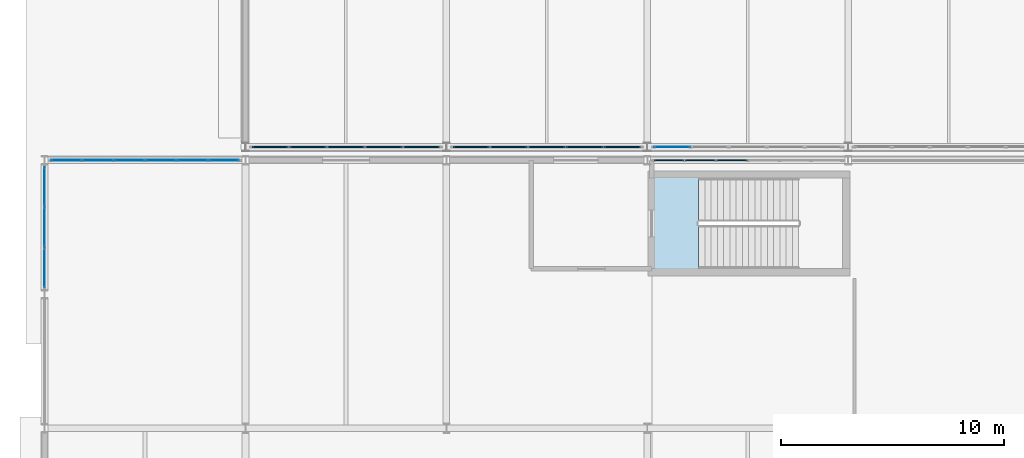
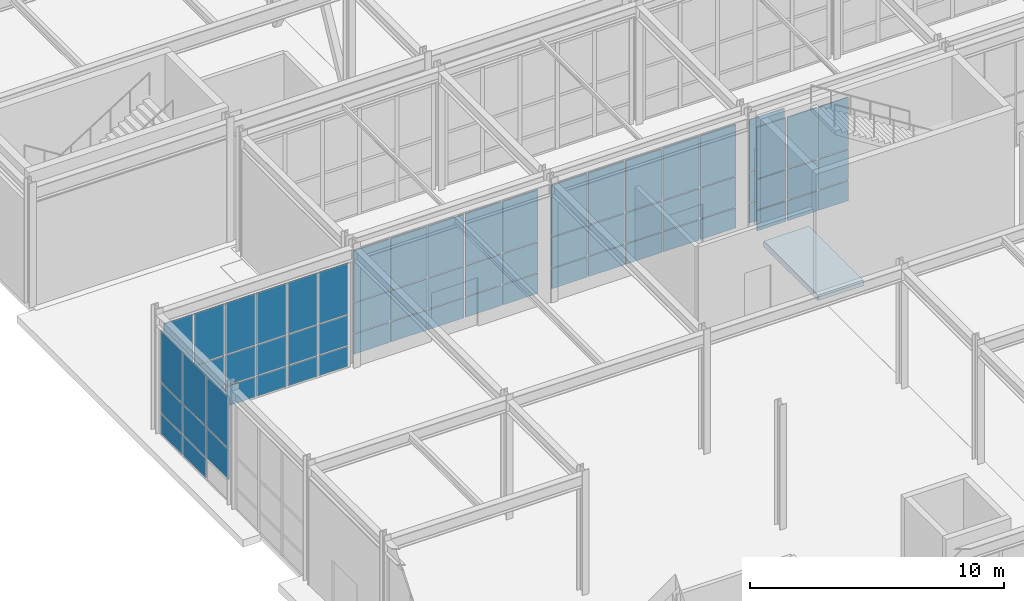
# One storey, part 102 of 146: 68 plates, 1 slab, 6 elements without a shape of their own.
"""IFC4 building model written with IfcOpenShell, lengths in metres."""

import ifcopenshell
import ifcopenshell.guid

model = None  # the IFC model being written
_history = None  # IfcOwnerHistory: only IFC2X3 demands one
_inside = {}  # id of a spatial element -> (the spatial element, [elements in it])
_under = {}  # id of a project, library or spatial element -> (it, [spatial elements below it])
_declared = {}  # id of a project -> (the project, [libraries it declares])
_typed = {}  # id of a type object -> (the type object, [elements of that type])
_made_of = {}  # id of a material, layer set ... -> (it, [elements and type objects made of it])


def new_model(schema):
    """Start an empty IFC model of exactly this schema.

    Asked for "IFC4X3", IfcOpenShell would pick the latest addendum, in which some entities
    have other attributes; the version numbers below select the first issue.
    IFC2X3 requires an IfcOwnerHistory on every rooted entity: one is made here for all.
    """
    global model, _history
    if schema == "IFC4X3":
        model = ifcopenshell.file(schema_version=(4, 3, 0, 0))
    else:
        model = ifcopenshell.file(schema=schema)
    _inside.clear()
    _under.clear()
    _declared.clear()
    _typed.clear()
    _made_of.clear()
    _history = None
    if model.schema == "IFC2X3":
        org = make("IfcOrganization", Name="unknown")
        user = make(
            "IfcPersonAndOrganization",
            ThePerson=make("IfcPerson", FamilyName="unknown"),
            TheOrganization=org,
        )
        app = make(
            "IfcApplication",
            ApplicationDeveloper=org,
            Version="unknown",
            ApplicationFullName="unknown",
            ApplicationIdentifier="unknown",
        )
        _history = make(
            "IfcOwnerHistory",
            OwningUser=user,
            OwningApplication=app,
            ChangeAction="ADDED",
            CreationDate=0,
        )
    return model


def make(cls, **values):
    """One entity of the class cls with the attributes given. An attribute that is None is left unset."""
    return model.create_entity(
        cls, **{name: value for name, value in values.items() if value is not None}
    )


def rooted(cls, **values):
    """An entity with a GlobalId (a new one), such as an element, a storey or a relation."""
    return make(cls, GlobalId=ifcopenshell.guid.new(), OwnerHistory=_history, **values)


def si_unit(unit_type, name, prefix=None):
    """IfcSIUnit, for example si_unit("LENGTHUNIT", "METRE", prefix="MILLI")."""
    return make("IfcSIUnit", UnitType=unit_type, Prefix=prefix, Name=name)


def assignment(units):
    """IfcUnitAssignment: the units of a project."""
    return None if units is None else make("IfcUnitAssignment", Units=units)


def point(xyz):
    """IfcCartesianPoint."""
    return None if xyz is None else make("IfcCartesianPoint", Coordinates=xyz)


def direction(xyz):
    """IfcDirection."""
    return None if xyz is None else make("IfcDirection", DirectionRatios=xyz)


def frame(location, z_axis=None, x_axis=None):
    """IfcAxis2Placement3D, a coordinate frame: its origin and axes. An axis left out is left unset."""
    return make(
        "IfcAxis2Placement3D",
        Location=point(location),
        Axis=direction(z_axis),
        RefDirection=direction(x_axis),
    )


def frame_2d(location, x_axis=None):
    """IfcAxis2Placement2D, a coordinate frame in the plane: its origin and x axis."""
    return make(
        "IfcAxis2Placement2D", Location=point(location), RefDirection=direction(x_axis)
    )


def origin():
    """The frame at (0, 0, 0) with its axes left unset."""
    return frame((0.0, 0.0, 0.0))


def origin_2d():
    """The frame at (0, 0) in the plane with its x axis left unset."""
    return frame_2d((0.0, 0.0))


def place(relative_to, where):
    """IfcLocalPlacement: puts the frame where relative to a parent placement (None: the world)."""
    return make(
        "IfcLocalPlacement", PlacementRelTo=relative_to, RelativePlacement=where
    )


def context(
    kind, dimensions, precision=None, world=None, true_north=None, identifier=None
):
    """IfcGeometricRepresentationContext, for example the 3D "Model" context."""
    return make(
        "IfcGeometricRepresentationContext",
        ContextIdentifier=identifier,
        ContextType=kind,
        CoordinateSpaceDimension=dimensions,
        Precision=precision,
        WorldCoordinateSystem=world,
        TrueNorth=true_north,
    )


def subcontext(parent, identifier, kind, view, scale=None):
    """IfcGeometricRepresentationSubContext, for example "Body" below "Model"."""
    return make(
        "IfcGeometricRepresentationSubContext",
        ContextIdentifier=identifier,
        ContextType=kind,
        ParentContext=parent,
        TargetScale=scale,
        TargetView=view,
    )


def project(units=None, contexts=None):
    """IfcProject with its units and contexts."""
    return rooted(
        "IfcProject",
        Name="project",
        RepresentationContexts=contexts,
        UnitsInContext=assignment(units),
    )


def spatial(cls, under=None, at=None, **own):
    """A site, building, storey or space (cls), placed at a placement, below another one or the project."""
    s = rooted(cls, ObjectPlacement=at, **own)
    if under is not None:
        _under.setdefault(under.id(), (under, []))[1].append(s)
    return s


def polyline(points):
    """IfcPolyline through the points."""
    return make("IfcPolyline", Points=[point(p) for p in points])


def profile(cls, at=None, kind="AREA", **sizes):
    """A parametric profile (cls). Its sizes go by their IFC names, for example OverallWidth=200.0."""
    return make(cls, ProfileType=kind, Position=at, **sizes)


def rectangle(**sizes):
    """IfcRectangleProfileDef."""
    return profile("IfcRectangleProfileDef", **sizes)


def outline(outer, holes=None, kind="AREA"):
    """IfcArbitraryClosedProfileDef: a profile drawn as a closed curve; with holes, ...WithVoids."""
    if holes is None:
        return make("IfcArbitraryClosedProfileDef", ProfileType=kind, OuterCurve=outer)
    return make(
        "IfcArbitraryProfileDefWithVoids",
        ProfileType=kind,
        OuterCurve=outer,
        InnerCurves=holes,
    )


def extrude(swept, where, along, depth):
    """IfcExtrudedAreaSolid: the profile swept, set in the frame where, extruded along a direction by depth."""
    return make(
        "IfcExtrudedAreaSolid",
        SweptArea=swept,
        Position=where,
        ExtrudedDirection=direction(along),
        Depth=depth,
    )


def shape(context_of_items, identifier, shape_type, items):
    """IfcShapeRepresentation: the items that make up one representation, for example the "Body"."""
    return make(
        "IfcShapeRepresentation",
        ContextOfItems=context_of_items,
        RepresentationIdentifier=identifier,
        RepresentationType=shape_type,
        Items=items,
    )


def material(Name=None, Category=None):
    """IfcMaterial."""
    return make("IfcMaterial", Name=Name, Category=Category)


def layer(
    of_material, thickness, ventilated=None, Name=None, Category=None, Priority=None
):
    """IfcMaterialLayer: one layer of a wall or slab, of a material (None: an air gap)."""
    return make(
        "IfcMaterialLayer",
        Material=of_material,
        LayerThickness=thickness,
        IsVentilated=ventilated,
        Name=Name,
        Category=Category,
        Priority=Priority,
    )


def layer_set(layers, Name=None):
    """IfcMaterialLayerSet."""
    return make("IfcMaterialLayerSet", MaterialLayers=layers, LayerSetName=Name)


def made_of(thing, what):
    """Note that an element or type object is made of a material, layer set ...; save() writes the relation."""
    if what is not None:
        _made_of.setdefault(what.id(), (what, []))[1].append(thing)
    return thing


def type_object(cls, material=None, **own):
    """A type object (cls), such as IfcWallType, which elements share."""
    return made_of(rooted(cls, **own), material)


def element(
    cls,
    number,
    at=None,
    inside=None,
    cuts=None,
    type_object=None,
    material=None,
    context=None,
    identifier="Body",
    shape_type=None,
    held_by="IfcProductDefinitionShape",
    body=None,
    shapes=None,
    **own,
):
    """One element of the class cls, such as IfcWall. Its Tag is "e" and its number.

    at: its placement. inside: the storey or other place that contains it. cuts: it is an
    opening in that element (IfcRelVoidsElement). A single representation is given by context,
    identifier, shape_type and body (its items); several are given by shapes. held_by: the class
    of the entity that holds the representations. save() writes the other relations.
    """
    e = rooted(cls, Tag="e%d" % number, ObjectPlacement=at, **own)
    if body is not None:
        shapes = [shape(context, identifier, shape_type, body)]
    if shapes is not None:
        e.Representation = make(held_by, Representations=shapes)
    if inside is not None:
        _inside.setdefault(inside.id(), (inside, []))[1].append(e)
    if cuts is not None:
        rooted(
            "IfcRelVoidsElement", RelatingBuildingElement=cuts, RelatedOpeningElement=e
        )
    if type_object is not None:
        _typed.setdefault(type_object.id(), (type_object, []))[1].append(e)
    return made_of(e, material)


def aggregate(whole, parts):
    """IfcRelAggregates: a whole, such as a stair, and the parts it consists of."""
    return rooted("IfcRelAggregates", RelatingObject=whole, RelatedObjects=parts)


def save(model, path):
    """Write the relations noted so far, then the file.

    IfcRelAggregates (storeys below a building ...), IfcRelContainedInSpatialStructure (elements
    in a storey), IfcRelDefinesByType, IfcRelAssociatesMaterial and IfcRelDeclares: one each for
    every whole, place, type object, material and project.
    """
    for whole, parts in _under.values():
        aggregate(whole, parts)
    for where, things in _inside.values():
        rooted(
            "IfcRelContainedInSpatialStructure",
            RelatedElements=things,
            RelatingStructure=where,
        )
    for kind, things in _typed.values():
        rooted("IfcRelDefinesByType", RelatedObjects=things, RelatingType=kind)
    for what, things in _made_of.values():
        rooted("IfcRelAssociatesMaterial", RelatedObjects=things, RelatingMaterial=what)
    for by, libraries in _declared.values():
        rooted("IfcRelDeclares", RelatingContext=by, RelatedDefinitions=libraries)
    model.write(path)


model = new_model("IFC4")

# Units and contexts
model_context = context("Model", 3, precision=1e-05, world=origin(), true_north=direction((0.0, 1.0)))
body_context = subcontext(model_context, "Body", "Model", "MODEL_VIEW")
ifc_project = project(units=[si_unit("LENGTHUNIT", "METRE"), si_unit("AREAUNIT", "SQUARE_METRE"), si_unit("VOLUMEUNIT", "CUBIC_METRE"), si_unit("PLANEANGLEUNIT", "RADIAN"), si_unit("MASSUNIT", "GRAM", prefix="KILO")], contexts=[model_context])

# Site, building, storey
site_placement = place(None, origin())
site = spatial("IfcSite", under=ifc_project, at=site_placement, CompositionType="ELEMENT")
building_placement = place(site_placement, origin())
building = spatial("IfcBuilding", under=site, at=building_placement, Name="Kaldris Quays Convention Centre", CompositionType="ELEMENT")
storey_placement = place(building_placement, origin())
storey = spatial("IfcBuildingStorey", under=building, at=storey_placement, Name="L00", CompositionType="ELEMENT", Elevation=0.0)

# Curtain wall, plates
ifc_material_1 = material(Name="Anodized aluminium AW-6060 and triple glazing", Category="aluminium")
curtain_wall_type_1 = type_object("IfcCurtainWallType", Name="UNITISED CURTAIN WALL CW05", PredefinedType="NOTDEFINED", material=ifc_material_1)
curtain_wall_1_placement = place(storey_placement, origin())
curtain_wall_1 = element("IfcCurtainWall", 1, at=curtain_wall_1_placement, inside=storey, type_object=curtain_wall_type_1, Name="L00 Unitised Curtain Wall CW05 57", PredefinedType="NOTDEFINED")
ifc_material_2 = material(Name="Triple low-E insulated glazing", Category="glass")
plate_type_1 = type_object("IfcPlateType", Name="CURTAIN GLAZING PANEL CWP1", PredefinedType="CURTAIN_PANEL", material=ifc_material_2)
plate_1_placement = place(storey_placement, frame((20.0, 41.181640625, 1.080078125), z_axis=(0.0, 0.0, 1.0), x_axis=(0.0, 1.0, 0.0)))
plate_1 = element("IfcPlate", 2, at=plate_1_placement, type_object=plate_type_1, Name="CW05 panel 1.2", PredefinedType="CURTAIN_PANEL", context=body_context, shape_type="SweptSolid", body=[
    extrude(rectangle(XDim=1.743408203125, YDim=0.029052734375, at=origin_2d()), origin(), (0.0, 0.0, 1.0), 1.43896484375),
])
plate_2_placement = place(storey_placement, frame((20.0, 41.181640625, 2.5791015625), z_axis=(0.0, 0.0, 1.0), x_axis=(0.0, 1.0, 0.0)))
plate_2 = element("IfcPlate", 3, at=plate_2_placement, type_object=plate_type_1, Name="CW05 panel 1.3", PredefinedType="CURTAIN_PANEL", context=body_context, shape_type="SweptSolid", body=[
    extrude(rectangle(XDim=1.743408203125, YDim=0.029052734375, at=origin_2d()), origin(), (0.0, 0.0, 1.0), 2.458984375),
])
plate_3_placement = place(storey_placement, frame((20.0, 43.0, 0.06005859375), z_axis=(0.0, 0.0, 1.0), x_axis=(0.0, 1.0, 0.0)))
plate_3 = element("IfcPlate", 4, at=plate_3_placement, type_object=plate_type_1, Name="CW05 panel 2.1", PredefinedType="CURTAIN_PANEL", context=body_context, shape_type="SweptSolid", body=[
    extrude(rectangle(XDim=1.7734375, YDim=0.029052734375, at=origin_2d()), origin(), (0.0, 0.0, 1.0), 0.9599609375),
])
plate_4_placement = place(storey_placement, frame((20.0, 43.0, 1.080078125), z_axis=(0.0, 0.0, 1.0), x_axis=(0.0, 1.0, 0.0)))
plate_4 = element("IfcPlate", 5, at=plate_4_placement, type_object=plate_type_1, Name="CW05 panel 2.2", PredefinedType="CURTAIN_PANEL", context=body_context, shape_type="SweptSolid", body=[
    extrude(rectangle(XDim=1.7734375, YDim=0.029052734375, at=origin_2d()), origin(), (0.0, 0.0, 1.0), 1.43896484375),
])
plate_5_placement = place(storey_placement, frame((20.0, 43.0, 2.5791015625), z_axis=(0.0, 0.0, 1.0), x_axis=(0.0, 1.0, 0.0)))
plate_5 = element("IfcPlate", 6, at=plate_5_placement, type_object=plate_type_1, Name="CW05 panel 2.3", PredefinedType="CURTAIN_PANEL", context=body_context, shape_type="SweptSolid", body=[
    extrude(rectangle(XDim=1.7734375, YDim=0.029052734375, at=origin_2d()), origin(), (0.0, 0.0, 1.0), 2.458984375),
])
plate_6_placement = place(storey_placement, frame((20.0, 44.818359375, 0.06005859375), z_axis=(0.0, 0.0, 1.0), x_axis=(0.0, 1.0, 0.0)))
plate_6 = element("IfcPlate", 7, at=plate_6_placement, type_object=plate_type_1, Name="CW05 panel 3.1", PredefinedType="CURTAIN_PANEL", context=body_context, shape_type="SweptSolid", body=[
    extrude(rectangle(XDim=1.743408203125, YDim=0.029052734375, at=origin_2d()), origin(), (0.0, 0.0, 1.0), 0.9599609375),
])
plate_7_placement = place(storey_placement, frame((20.0, 44.818359375, 1.080078125), z_axis=(0.0, 0.0, 1.0), x_axis=(0.0, 1.0, 0.0)))
plate_7 = element("IfcPlate", 8, at=plate_7_placement, type_object=plate_type_1, Name="CW05 panel 3.2", PredefinedType="CURTAIN_PANEL", context=body_context, shape_type="SweptSolid", body=[
    extrude(rectangle(XDim=1.743408203125, YDim=0.029052734375, at=origin_2d()), origin(), (0.0, 0.0, 1.0), 1.43896484375),
])
plate_8_placement = place(storey_placement, frame((20.0, 44.818359375, 2.5791015625), z_axis=(0.0, 0.0, 1.0), x_axis=(0.0, 1.0, 0.0)))
plate_8 = element("IfcPlate", 9, at=plate_8_placement, type_object=plate_type_1, Name="CW05 panel 3.3", PredefinedType="CURTAIN_PANEL", context=body_context, shape_type="SweptSolid", body=[
    extrude(rectangle(XDim=1.743408203125, YDim=0.029052734375, at=origin_2d()), origin(), (0.0, 0.0, 1.0), 2.458984375),
])
aggregate(curtain_wall_1, [plate_1, plate_2, plate_3, plate_4, plate_5, plate_6, plate_7, plate_8])

curtain_wall_type_2 = type_object("IfcCurtainWallType", Name="UNITISED CURTAIN WALL CW02", PredefinedType="NOTDEFINED", material=ifc_material_1)
curtain_wall_2_placement = place(storey_placement, origin())
curtain_wall_2 = element("IfcCurtainWall", 10, at=curtain_wall_2_placement, inside=storey, type_object=curtain_wall_type_2, Name="L00 Unitised Curtain Wall CW02 82", PredefinedType="NOTDEFINED")
plate_type_2 = type_object("IfcPlateType", Name="CURTAIN GLAZING PANEL CWP2", PredefinedType="CURTAIN_PANEL", material=ifc_material_2)
plate_9_placement = place(storey_placement, frame((48.114990234375, 46.60009765625, 0.06005859375), z_axis=(0.0, 0.0, 1.0), x_axis=(1.0, 0.0, 0.0)))
plate_9 = element("IfcPlate", 11, at=plate_9_placement, type_object=plate_type_2, Name="CW02 panel 1.1", PredefinedType="CURTAIN_PANEL", context=body_context, shape_type="SweptSolid", body=[
    extrude(rectangle(XDim=1.610107421875, YDim=0.033935546875, at=origin_2d()), origin(), (0.0, 0.0, 1.0), 0.9599609375),
])
plate_10_placement = place(storey_placement, frame((48.114990234375, 46.60009765625, 1.080078125), z_axis=(0.0, 0.0, 1.0), x_axis=(1.0, 0.0, 0.0)))
plate_10 = element("IfcPlate", 12, at=plate_10_placement, type_object=plate_type_2, Name="CW02 panel 1.2", PredefinedType="CURTAIN_PANEL", context=body_context, shape_type="SweptSolid", body=[
    extrude(rectangle(XDim=1.610107421875, YDim=0.033935546875, at=origin_2d()), origin(), (0.0, 0.0, 1.0), 1.43994140625),
])
plate_11_placement = place(storey_placement, frame((48.114990234375, 46.60009765625, 2.580078125), z_axis=(0.0, 0.0, 1.0), x_axis=(1.0, 0.0, 0.0)))
plate_11 = element("IfcPlate", 13, at=plate_11_placement, type_object=plate_type_2, Name="CW02 panel 1.3", PredefinedType="CURTAIN_PANEL", context=body_context, shape_type="SweptSolid", body=[
    extrude(rectangle(XDim=1.610107421875, YDim=0.033935546875, at=origin_2d()), origin(), (0.0, 0.0, 1.0), 2.4599609375),
])
aggregate(curtain_wall_2, [plate_9, plate_10, plate_11])

curtain_wall_type_3 = type_object("IfcCurtainWallType", Name="UNITISED CURTAIN WALL CW01", PredefinedType="NOTDEFINED", material=ifc_material_1)
curtain_wall_3_placement = place(storey_placement, origin())
curtain_wall_3 = element("IfcCurtainWall", 14, at=curtain_wall_3_placement, inside=storey, type_object=curtain_wall_type_3, Name="L00 Unitised Curtain Wall CW01 44", PredefinedType="NOTDEFINED")
plate_type_3 = type_object("IfcPlateType", Name="CURTAIN GLAZING PANEL CWP4", PredefinedType="CURTAIN_PANEL", material=ifc_material_2)
plate_12_placement = place(storey_placement, frame((20.973388671875, 46.0, 0.06005859375), z_axis=(0.0, 0.0, 1.0), x_axis=(1.0, 0.0, 0.0)))
plate_12 = element("IfcPlate", 15, at=plate_12_placement, type_object=plate_type_3, Name="CW01 panel 1.1", PredefinedType="CURTAIN_PANEL", context=body_context, shape_type="SweptSolid", body=[
    extrude(rectangle(XDim=1.32666015625, YDim=0.0439453125, at=origin_2d()), origin(), (0.0, 0.0, 1.0), 0.9599609375),
])
plate_13_placement = place(storey_placement, frame((20.973388671875, 46.0, 1.080078125), z_axis=(0.0, 0.0, 1.0), x_axis=(1.0, 0.0, 0.0)))
plate_13 = element("IfcPlate", 16, at=plate_13_placement, type_object=plate_type_3, Name="CW01 panel 1.2", PredefinedType="CURTAIN_PANEL", context=body_context, shape_type="SweptSolid", body=[
    extrude(rectangle(XDim=1.32666015625, YDim=0.0439453125, at=origin_2d()), origin(), (0.0, 0.0, 1.0), 1.43896484375),
])
plate_14_placement = place(storey_placement, frame((20.973388671875, 46.0, 2.5791015625), z_axis=(0.0, 0.0, 1.0), x_axis=(1.0, 0.0, 0.0)))
plate_14 = element("IfcPlate", 17, at=plate_14_placement, type_object=plate_type_3, Name="CW01 panel 1.3", PredefinedType="CURTAIN_PANEL", context=body_context, shape_type="SweptSolid", body=[
    extrude(rectangle(XDim=1.32666015625, YDim=0.0439453125, at=origin_2d()), origin(), (0.0, 0.0, 1.0), 2.458984375),
])
plate_15_placement = place(storey_placement, frame((22.375, 46.0, 0.06005859375), z_axis=(0.0, 0.0, 1.0), x_axis=(1.0, 0.0, 0.0)))
plate_15 = element("IfcPlate", 18, at=plate_15_placement, type_object=plate_type_3, Name="CW01 panel 2.1", PredefinedType="CURTAIN_PANEL", context=body_context, shape_type="SweptSolid", body=[
    extrude(rectangle(XDim=1.356689453125, YDim=0.0439453125, at=origin_2d()), origin(), (0.0, 0.0, 1.0), 0.9599609375),
])
plate_16_placement = place(storey_placement, frame((22.375, 46.0, 1.080078125), z_axis=(0.0, 0.0, 1.0), x_axis=(1.0, 0.0, 0.0)))
plate_16 = element("IfcPlate", 19, at=plate_16_placement, type_object=plate_type_3, Name="CW01 panel 2.2", PredefinedType="CURTAIN_PANEL", context=body_context, shape_type="SweptSolid", body=[
    extrude(rectangle(XDim=1.356689453125, YDim=0.0439453125, at=origin_2d()), origin(), (0.0, 0.0, 1.0), 1.43896484375),
])
plate_17_placement = place(storey_placement, frame((22.375, 46.0, 2.5791015625), z_axis=(0.0, 0.0, 1.0), x_axis=(1.0, 0.0, 0.0)))
plate_17 = element("IfcPlate", 20, at=plate_17_placement, type_object=plate_type_3, Name="CW01 panel 2.3", PredefinedType="CURTAIN_PANEL", context=body_context, shape_type="SweptSolid", body=[
    extrude(rectangle(XDim=1.356689453125, YDim=0.0439453125, at=origin_2d()), origin(), (0.0, 0.0, 1.0), 2.458984375),
])
plate_18_placement = place(storey_placement, frame((23.791748046875, 46.0, 0.06005859375), z_axis=(0.0, 0.0, 1.0), x_axis=(1.0, 0.0, 0.0)))
plate_18 = element("IfcPlate", 21, at=plate_18_placement, type_object=plate_type_3, Name="CW01 panel 3.1", PredefinedType="CURTAIN_PANEL", context=body_context, shape_type="SweptSolid", body=[
    extrude(rectangle(XDim=1.356689453125, YDim=0.0439453125, at=origin_2d()), origin(), (0.0, 0.0, 1.0), 0.9599609375),
])
plate_19_placement = place(storey_placement, frame((23.791748046875, 46.0, 1.080078125), z_axis=(0.0, 0.0, 1.0), x_axis=(1.0, 0.0, 0.0)))
plate_19 = element("IfcPlate", 22, at=plate_19_placement, type_object=plate_type_3, Name="CW01 panel 3.2", PredefinedType="CURTAIN_PANEL", context=body_context, shape_type="SweptSolid", body=[
    extrude(rectangle(XDim=1.356689453125, YDim=0.0439453125, at=origin_2d()), origin(), (0.0, 0.0, 1.0), 1.43896484375),
])
plate_20_placement = place(storey_placement, frame((23.791748046875, 46.0, 2.5791015625), z_axis=(0.0, 0.0, 1.0), x_axis=(1.0, 0.0, 0.0)))
plate_20 = element("IfcPlate", 23, at=plate_20_placement, type_object=plate_type_3, Name="CW01 panel 3.3", PredefinedType="CURTAIN_PANEL", context=body_context, shape_type="SweptSolid", body=[
    extrude(rectangle(XDim=1.356689453125, YDim=0.0439453125, at=origin_2d()), origin(), (0.0, 0.0, 1.0), 2.458984375),
])
plate_21_placement = place(storey_placement, frame((25.208251953125, 46.0, 0.06005859375), z_axis=(0.0, 0.0, 1.0), x_axis=(1.0, 0.0, 0.0)))
plate_21 = element("IfcPlate", 24, at=plate_21_placement, type_object=plate_type_3, Name="CW01 panel 4.1", PredefinedType="CURTAIN_PANEL", context=body_context, shape_type="SweptSolid", body=[
    extrude(rectangle(XDim=1.356689453125, YDim=0.0439453125, at=origin_2d()), origin(), (0.0, 0.0, 1.0), 0.9599609375),
])
plate_22_placement = place(storey_placement, frame((25.208251953125, 46.0, 1.080078125), z_axis=(0.0, 0.0, 1.0), x_axis=(1.0, 0.0, 0.0)))
plate_22 = element("IfcPlate", 25, at=plate_22_placement, type_object=plate_type_3, Name="CW01 panel 4.2", PredefinedType="CURTAIN_PANEL", context=body_context, shape_type="SweptSolid", body=[
    extrude(rectangle(XDim=1.356689453125, YDim=0.0439453125, at=origin_2d()), origin(), (0.0, 0.0, 1.0), 1.43896484375),
])
plate_23_placement = place(storey_placement, frame((25.208251953125, 46.0, 2.5791015625), z_axis=(0.0, 0.0, 1.0), x_axis=(1.0, 0.0, 0.0)))
plate_23 = element("IfcPlate", 26, at=plate_23_placement, type_object=plate_type_3, Name="CW01 panel 4.3", PredefinedType="CURTAIN_PANEL", context=body_context, shape_type="SweptSolid", body=[
    extrude(rectangle(XDim=1.356689453125, YDim=0.0439453125, at=origin_2d()), origin(), (0.0, 0.0, 1.0), 2.458984375),
])
plate_24_placement = place(storey_placement, frame((26.625, 46.0, 0.06005859375), z_axis=(0.0, 0.0, 1.0), x_axis=(1.0, 0.0, 0.0)))
plate_24 = element("IfcPlate", 27, at=plate_24_placement, type_object=plate_type_3, Name="CW01 panel 5.1", PredefinedType="CURTAIN_PANEL", context=body_context, shape_type="SweptSolid", body=[
    extrude(rectangle(XDim=1.356689453125, YDim=0.0439453125, at=origin_2d()), origin(), (0.0, 0.0, 1.0), 0.9599609375),
])
plate_25_placement = place(storey_placement, frame((26.625, 46.0, 1.080078125), z_axis=(0.0, 0.0, 1.0), x_axis=(1.0, 0.0, 0.0)))
plate_25 = element("IfcPlate", 28, at=plate_25_placement, type_object=plate_type_3, Name="CW01 panel 5.2", PredefinedType="CURTAIN_PANEL", context=body_context, shape_type="SweptSolid", body=[
    extrude(rectangle(XDim=1.356689453125, YDim=0.0439453125, at=origin_2d()), origin(), (0.0, 0.0, 1.0), 1.43896484375),
])
plate_26_placement = place(storey_placement, frame((26.625, 46.0, 2.5791015625), z_axis=(0.0, 0.0, 1.0), x_axis=(1.0, 0.0, 0.0)))
plate_26 = element("IfcPlate", 29, at=plate_26_placement, type_object=plate_type_3, Name="CW01 panel 5.3", PredefinedType="CURTAIN_PANEL", context=body_context, shape_type="SweptSolid", body=[
    extrude(rectangle(XDim=1.356689453125, YDim=0.0439453125, at=origin_2d()), origin(), (0.0, 0.0, 1.0), 2.458984375),
])
plate_27_placement = place(storey_placement, frame((28.026611328125, 46.0, 0.06005859375), z_axis=(0.0, 0.0, 1.0), x_axis=(1.0, 0.0, 0.0)))
plate_27 = element("IfcPlate", 30, at=plate_27_placement, type_object=plate_type_3, Name="CW01 panel 6.1", PredefinedType="CURTAIN_PANEL", context=body_context, shape_type="SweptSolid", body=[
    extrude(rectangle(XDim=1.32666015625, YDim=0.0439453125, at=origin_2d()), origin(), (0.0, 0.0, 1.0), 0.9599609375),
])
plate_28_placement = place(storey_placement, frame((28.026611328125, 46.0, 1.080078125), z_axis=(0.0, 0.0, 1.0), x_axis=(1.0, 0.0, 0.0)))
plate_28 = element("IfcPlate", 31, at=plate_28_placement, type_object=plate_type_3, Name="CW01 panel 6.2", PredefinedType="CURTAIN_PANEL", context=body_context, shape_type="SweptSolid", body=[
    extrude(rectangle(XDim=1.32666015625, YDim=0.0439453125, at=origin_2d()), origin(), (0.0, 0.0, 1.0), 1.43896484375),
])
plate_29_placement = place(storey_placement, frame((28.026611328125, 46.0, 2.5791015625), z_axis=(0.0, 0.0, 1.0), x_axis=(1.0, 0.0, 0.0)))
plate_29 = element("IfcPlate", 32, at=plate_29_placement, type_object=plate_type_3, Name="CW01 panel 6.3", PredefinedType="CURTAIN_PANEL", context=body_context, shape_type="SweptSolid", body=[
    extrude(rectangle(XDim=1.32666015625, YDim=0.0439453125, at=origin_2d()), origin(), (0.0, 0.0, 1.0), 2.458984375),
])
aggregate(curtain_wall_3, [plate_12, plate_13, plate_14, plate_15, plate_16, plate_17, plate_18, plate_19, plate_20, plate_21, plate_22, plate_23, plate_24, plate_25, plate_26, plate_27, plate_28, plate_29])

curtain_wall_4_placement = place(storey_placement, origin())
curtain_wall_4 = element("IfcCurtainWall", 33, at=curtain_wall_4_placement, inside=storey, type_object=curtain_wall_type_3, Name="L00 Unitised Curtain Wall CW01 46", PredefinedType="NOTDEFINED")
plate_type_4 = type_object("IfcPlateType", Name="CURTAIN GLAZING PANEL CWP6", PredefinedType="CURTAIN_PANEL", material=ifc_material_2)
plate_30_placement = place(storey_placement, frame((47.973388671875, 46.0, 0.06005859375), z_axis=(0.0, 0.0, 1.0), x_axis=(1.0, 0.0, 0.0)))
plate_30 = element("IfcPlate", 34, at=plate_30_placement, type_object=plate_type_4, Name="CW01 panel 1.1", PredefinedType="CURTAIN_PANEL", context=body_context, shape_type="SweptSolid", body=[
    extrude(rectangle(XDim=1.32666015625, YDim=0.053955078125, at=origin_2d()), origin(), (0.0, 0.0, 1.0), 0.9599609375),
])
plate_31_placement = place(storey_placement, frame((47.973388671875, 46.0, 1.080078125), z_axis=(0.0, 0.0, 1.0), x_axis=(1.0, 0.0, 0.0)))
plate_31 = element("IfcPlate", 35, at=plate_31_placement, type_object=plate_type_4, Name="CW01 panel 1.2", PredefinedType="CURTAIN_PANEL", context=body_context, shape_type="SweptSolid", body=[
    extrude(rectangle(XDim=1.32666015625, YDim=0.053955078125, at=origin_2d()), origin(), (0.0, 0.0, 1.0), 1.43896484375),
])
plate_32_placement = place(storey_placement, frame((47.973388671875, 46.0, 2.5791015625), z_axis=(0.0, 0.0, 1.0), x_axis=(1.0, 0.0, 0.0)))
plate_32 = element("IfcPlate", 36, at=plate_32_placement, type_object=plate_type_4, Name="CW01 panel 1.3", PredefinedType="CURTAIN_PANEL", context=body_context, shape_type="SweptSolid", body=[
    extrude(rectangle(XDim=1.32666015625, YDim=0.053955078125, at=origin_2d()), origin(), (0.0, 0.0, 1.0), 2.458984375),
])
plate_33_placement = place(storey_placement, frame((49.375, 46.0, 0.06005859375), z_axis=(0.0, 0.0, 1.0), x_axis=(1.0, 0.0, 0.0)))
plate_33 = element("IfcPlate", 37, at=plate_33_placement, type_object=plate_type_4, Name="CW01 panel 2.1", PredefinedType="CURTAIN_PANEL", context=body_context, shape_type="SweptSolid", body=[
    extrude(rectangle(XDim=1.356689453125, YDim=0.053955078125, at=origin_2d()), origin(), (0.0, 0.0, 1.0), 0.9599609375),
])
plate_34_placement = place(storey_placement, frame((49.375, 46.0, 1.080078125), z_axis=(0.0, 0.0, 1.0), x_axis=(1.0, 0.0, 0.0)))
plate_34 = element("IfcPlate", 38, at=plate_34_placement, type_object=plate_type_4, Name="CW01 panel 2.2", PredefinedType="CURTAIN_PANEL", context=body_context, shape_type="SweptSolid", body=[
    extrude(rectangle(XDim=1.356689453125, YDim=0.053955078125, at=origin_2d()), origin(), (0.0, 0.0, 1.0), 1.43896484375),
])
plate_35_placement = place(storey_placement, frame((49.375, 46.0, 2.5791015625), z_axis=(0.0, 0.0, 1.0), x_axis=(1.0, 0.0, 0.0)))
plate_35 = element("IfcPlate", 39, at=plate_35_placement, type_object=plate_type_4, Name="CW01 panel 2.3", PredefinedType="CURTAIN_PANEL", context=body_context, shape_type="SweptSolid", body=[
    extrude(rectangle(XDim=1.356689453125, YDim=0.053955078125, at=origin_2d()), origin(), (0.0, 0.0, 1.0), 2.458984375),
])
plate_36_placement = place(storey_placement, frame((50.791748046875, 46.0, 0.06005859375), z_axis=(0.0, 0.0, 1.0), x_axis=(1.0, 0.0, 0.0)))
plate_36 = element("IfcPlate", 40, at=plate_36_placement, type_object=plate_type_4, Name="CW01 panel 3.1", PredefinedType="CURTAIN_PANEL", context=body_context, shape_type="SweptSolid", body=[
    extrude(rectangle(XDim=1.356689453125, YDim=0.053955078125, at=origin_2d()), origin(), (0.0, 0.0, 1.0), 0.9599609375),
])
plate_37_placement = place(storey_placement, frame((50.791748046875, 46.0, 1.080078125), z_axis=(0.0, 0.0, 1.0), x_axis=(1.0, 0.0, 0.0)))
plate_37 = element("IfcPlate", 41, at=plate_37_placement, type_object=plate_type_4, Name="CW01 panel 3.2", PredefinedType="CURTAIN_PANEL", context=body_context, shape_type="SweptSolid", body=[
    extrude(rectangle(XDim=1.356689453125, YDim=0.053955078125, at=origin_2d()), origin(), (0.0, 0.0, 1.0), 1.43896484375),
])
plate_38_placement = place(storey_placement, frame((50.791748046875, 46.0, 2.5791015625), z_axis=(0.0, 0.0, 1.0), x_axis=(1.0, 0.0, 0.0)))
plate_38 = element("IfcPlate", 42, at=plate_38_placement, type_object=plate_type_4, Name="CW01 panel 3.3", PredefinedType="CURTAIN_PANEL", context=body_context, shape_type="SweptSolid", body=[
    extrude(rectangle(XDim=1.356689453125, YDim=0.053955078125, at=origin_2d()), origin(), (0.0, 0.0, 1.0), 2.458984375),
])
aggregate(curtain_wall_4, [plate_30, plate_31, plate_32, plate_33, plate_34, plate_35, plate_36, plate_37, plate_38])

curtain_wall_5_placement = place(storey_placement, origin())
curtain_wall_5 = element("IfcCurtainWall", 43, at=curtain_wall_5_placement, inside=storey, type_object=curtain_wall_type_2, Name="L00 Unitised Curtain Wall CW02 78", PredefinedType="NOTDEFINED")
plate_39_placement = place(storey_placement, frame((30.114990234375, 46.60009765625, 0.06005859375), z_axis=(0.0, 0.0, 1.0), x_axis=(1.0, 0.0, 0.0)))
plate_39 = element("IfcPlate", 44, at=plate_39_placement, type_object=plate_type_4, Name="CW02 panel 1.1", PredefinedType="CURTAIN_PANEL", context=body_context, shape_type="SweptSolid", body=[
    extrude(rectangle(XDim=1.610107421875, YDim=0.053955078125, at=origin_2d()), origin(), (0.0, 0.0, 1.0), 0.9599609375),
])
plate_40_placement = place(storey_placement, frame((30.114990234375, 46.60009765625, 1.080078125), z_axis=(0.0, 0.0, 1.0), x_axis=(1.0, 0.0, 0.0)))
plate_40 = element("IfcPlate", 45, at=plate_40_placement, type_object=plate_type_4, Name="CW02 panel 1.2", PredefinedType="CURTAIN_PANEL", context=body_context, shape_type="SweptSolid", body=[
    extrude(rectangle(XDim=1.610107421875, YDim=0.053955078125, at=origin_2d()), origin(), (0.0, 0.0, 1.0), 1.43994140625),
])
plate_41_placement = place(storey_placement, frame((30.114990234375, 46.60009765625, 2.580078125), z_axis=(0.0, 0.0, 1.0), x_axis=(1.0, 0.0, 0.0)))
plate_41 = element("IfcPlate", 46, at=plate_41_placement, type_object=plate_type_4, Name="CW02 panel 1.3", PredefinedType="CURTAIN_PANEL", context=body_context, shape_type="SweptSolid", body=[
    extrude(rectangle(XDim=1.610107421875, YDim=0.053955078125, at=origin_2d()), origin(), (0.0, 0.0, 1.0), 2.4599609375),
])
plate_42_placement = place(storey_placement, frame((31.800048828125, 46.60009765625, 0.06005859375), z_axis=(0.0, 0.0, 1.0), x_axis=(1.0, 0.0, 0.0)))
plate_42 = element("IfcPlate", 47, at=plate_42_placement, type_object=plate_type_4, Name="CW02 panel 2.1", PredefinedType="CURTAIN_PANEL", context=body_context, shape_type="SweptSolid", body=[
    extrude(rectangle(XDim=1.639892578125, YDim=0.053955078125, at=origin_2d()), origin(), (0.0, 0.0, 1.0), 0.9599609375),
])
plate_43_placement = place(storey_placement, frame((31.800048828125, 46.60009765625, 1.080078125), z_axis=(0.0, 0.0, 1.0), x_axis=(1.0, 0.0, 0.0)))
plate_43 = element("IfcPlate", 48, at=plate_43_placement, type_object=plate_type_4, Name="CW02 panel 2.2", PredefinedType="CURTAIN_PANEL", context=body_context, shape_type="SweptSolid", body=[
    extrude(rectangle(XDim=1.639892578125, YDim=0.053955078125, at=origin_2d()), origin(), (0.0, 0.0, 1.0), 1.43994140625),
])
plate_44_placement = place(storey_placement, frame((31.800048828125, 46.60009765625, 2.580078125), z_axis=(0.0, 0.0, 1.0), x_axis=(1.0, 0.0, 0.0)))
plate_44 = element("IfcPlate", 49, at=plate_44_placement, type_object=plate_type_4, Name="CW02 panel 2.3", PredefinedType="CURTAIN_PANEL", context=body_context, shape_type="SweptSolid", body=[
    extrude(rectangle(XDim=1.639892578125, YDim=0.053955078125, at=origin_2d()), origin(), (0.0, 0.0, 1.0), 2.4599609375),
])
plate_45_placement = place(storey_placement, frame((33.5, 46.60009765625, 0.06005859375), z_axis=(0.0, 0.0, 1.0), x_axis=(1.0, 0.0, 0.0)))
plate_45 = element("IfcPlate", 50, at=plate_45_placement, type_object=plate_type_4, Name="CW02 panel 3.1", PredefinedType="CURTAIN_PANEL", context=body_context, shape_type="SweptSolid", body=[
    extrude(rectangle(XDim=1.639892578125, YDim=0.053955078125, at=origin_2d()), origin(), (0.0, 0.0, 1.0), 0.9599609375),
])
plate_46_placement = place(storey_placement, frame((33.5, 46.60009765625, 1.080078125), z_axis=(0.0, 0.0, 1.0), x_axis=(1.0, 0.0, 0.0)))
plate_46 = element("IfcPlate", 51, at=plate_46_placement, type_object=plate_type_4, Name="CW02 panel 3.2", PredefinedType="CURTAIN_PANEL", context=body_context, shape_type="SweptSolid", body=[
    extrude(rectangle(XDim=1.639892578125, YDim=0.053955078125, at=origin_2d()), origin(), (0.0, 0.0, 1.0), 1.43994140625),
])
plate_47_placement = place(storey_placement, frame((33.5, 46.60009765625, 2.580078125), z_axis=(0.0, 0.0, 1.0), x_axis=(1.0, 0.0, 0.0)))
plate_47 = element("IfcPlate", 52, at=plate_47_placement, type_object=plate_type_4, Name="CW02 panel 3.3", PredefinedType="CURTAIN_PANEL", context=body_context, shape_type="SweptSolid", body=[
    extrude(rectangle(XDim=1.639892578125, YDim=0.053955078125, at=origin_2d()), origin(), (0.0, 0.0, 1.0), 2.4599609375),
])
plate_48_placement = place(storey_placement, frame((35.199951171875, 46.60009765625, 0.06005859375), z_axis=(0.0, 0.0, 1.0), x_axis=(1.0, 0.0, 0.0)))
plate_48 = element("IfcPlate", 53, at=plate_48_placement, type_object=plate_type_4, Name="CW02 panel 4.1", PredefinedType="CURTAIN_PANEL", context=body_context, shape_type="SweptSolid", body=[
    extrude(rectangle(XDim=1.639892578125, YDim=0.053955078125, at=origin_2d()), origin(), (0.0, 0.0, 1.0), 0.9599609375),
])
plate_49_placement = place(storey_placement, frame((35.199951171875, 46.60009765625, 1.080078125), z_axis=(0.0, 0.0, 1.0), x_axis=(1.0, 0.0, 0.0)))
plate_49 = element("IfcPlate", 54, at=plate_49_placement, type_object=plate_type_4, Name="CW02 panel 4.2", PredefinedType="CURTAIN_PANEL", context=body_context, shape_type="SweptSolid", body=[
    extrude(rectangle(XDim=1.639892578125, YDim=0.053955078125, at=origin_2d()), origin(), (0.0, 0.0, 1.0), 1.43994140625),
])
plate_50_placement = place(storey_placement, frame((35.199951171875, 46.60009765625, 2.580078125), z_axis=(0.0, 0.0, 1.0), x_axis=(1.0, 0.0, 0.0)))
plate_50 = element("IfcPlate", 55, at=plate_50_placement, type_object=plate_type_4, Name="CW02 panel 4.3", PredefinedType="CURTAIN_PANEL", context=body_context, shape_type="SweptSolid", body=[
    extrude(rectangle(XDim=1.639892578125, YDim=0.053955078125, at=origin_2d()), origin(), (0.0, 0.0, 1.0), 2.4599609375),
])
plate_51_placement = place(storey_placement, frame((36.885009765625, 46.60009765625, 0.06005859375), z_axis=(0.0, 0.0, 1.0), x_axis=(1.0, 0.0, 0.0)))
plate_51 = element("IfcPlate", 56, at=plate_51_placement, type_object=plate_type_4, Name="CW02 panel 5.1", PredefinedType="CURTAIN_PANEL", context=body_context, shape_type="SweptSolid", body=[
    extrude(rectangle(XDim=1.610107421875, YDim=0.053955078125, at=origin_2d()), origin(), (0.0, 0.0, 1.0), 0.9599609375),
])
plate_52_placement = place(storey_placement, frame((36.885009765625, 46.60009765625, 1.080078125), z_axis=(0.0, 0.0, 1.0), x_axis=(1.0, 0.0, 0.0)))
plate_52 = element("IfcPlate", 57, at=plate_52_placement, type_object=plate_type_4, Name="CW02 panel 5.2", PredefinedType="CURTAIN_PANEL", context=body_context, shape_type="SweptSolid", body=[
    extrude(rectangle(XDim=1.610107421875, YDim=0.053955078125, at=origin_2d()), origin(), (0.0, 0.0, 1.0), 1.43994140625),
])
plate_53_placement = place(storey_placement, frame((36.885009765625, 46.60009765625, 2.580078125), z_axis=(0.0, 0.0, 1.0), x_axis=(1.0, 0.0, 0.0)))
plate_53 = element("IfcPlate", 58, at=plate_53_placement, type_object=plate_type_4, Name="CW02 panel 5.3", PredefinedType="CURTAIN_PANEL", context=body_context, shape_type="SweptSolid", body=[
    extrude(rectangle(XDim=1.610107421875, YDim=0.053955078125, at=origin_2d()), origin(), (0.0, 0.0, 1.0), 2.4599609375),
])
aggregate(curtain_wall_5, [plate_39, plate_40, plate_41, plate_42, plate_43, plate_44, plate_45, plate_46, plate_47, plate_48, plate_49, plate_50, plate_51, plate_52, plate_53])

curtain_wall_6_placement = place(storey_placement, origin())
curtain_wall_6 = element("IfcCurtainWall", 59, at=curtain_wall_6_placement, inside=storey, type_object=curtain_wall_type_2, Name="L00 Unitised Curtain Wall CW02 80", PredefinedType="NOTDEFINED")
plate_type_5 = type_object("IfcPlateType", Name="CURTAIN GLAZING PANEL CWP8", PredefinedType="CURTAIN_PANEL", material=ifc_material_2)
plate_54_placement = place(storey_placement, frame((39.114990234375, 46.60009765625, 0.06005859375), z_axis=(0.0, 0.0, 1.0), x_axis=(1.0, 0.0, 0.0)))
plate_54 = element("IfcPlate", 60, at=plate_54_placement, type_object=plate_type_5, Name="CW02 panel 1.1", PredefinedType="CURTAIN_PANEL", context=body_context, shape_type="SweptSolid", body=[
    extrude(rectangle(XDim=1.610107421875, YDim=0.06396484375, at=origin_2d()), origin(), (0.0, 0.0, 1.0), 0.9599609375),
])
plate_55_placement = place(storey_placement, frame((39.114990234375, 46.60009765625, 1.080078125), z_axis=(0.0, 0.0, 1.0), x_axis=(1.0, 0.0, 0.0)))
plate_55 = element("IfcPlate", 61, at=plate_55_placement, type_object=plate_type_5, Name="CW02 panel 1.2", PredefinedType="CURTAIN_PANEL", context=body_context, shape_type="SweptSolid", body=[
    extrude(rectangle(XDim=1.610107421875, YDim=0.06396484375, at=origin_2d()), origin(), (0.0, 0.0, 1.0), 1.43994140625),
])
plate_56_placement = place(storey_placement, frame((39.114990234375, 46.60009765625, 2.580078125), z_axis=(0.0, 0.0, 1.0), x_axis=(1.0, 0.0, 0.0)))
plate_56 = element("IfcPlate", 62, at=plate_56_placement, type_object=plate_type_5, Name="CW02 panel 1.3", PredefinedType="CURTAIN_PANEL", context=body_context, shape_type="SweptSolid", body=[
    extrude(rectangle(XDim=1.610107421875, YDim=0.06396484375, at=origin_2d()), origin(), (0.0, 0.0, 1.0), 2.4599609375),
])
plate_57_placement = place(storey_placement, frame((40.800048828125, 46.60009765625, 0.06005859375), z_axis=(0.0, 0.0, 1.0), x_axis=(1.0, 0.0, 0.0)))
plate_57 = element("IfcPlate", 63, at=plate_57_placement, type_object=plate_type_5, Name="CW02 panel 2.1", PredefinedType="CURTAIN_PANEL", context=body_context, shape_type="SweptSolid", body=[
    extrude(rectangle(XDim=1.639892578125, YDim=0.06396484375, at=origin_2d()), origin(), (0.0, 0.0, 1.0), 0.9599609375),
])
plate_58_placement = place(storey_placement, frame((40.800048828125, 46.60009765625, 1.080078125), z_axis=(0.0, 0.0, 1.0), x_axis=(1.0, 0.0, 0.0)))
plate_58 = element("IfcPlate", 64, at=plate_58_placement, type_object=plate_type_5, Name="CW02 panel 2.2", PredefinedType="CURTAIN_PANEL", context=body_context, shape_type="SweptSolid", body=[
    extrude(rectangle(XDim=1.639892578125, YDim=0.06396484375, at=origin_2d()), origin(), (0.0, 0.0, 1.0), 1.43994140625),
])
plate_59_placement = place(storey_placement, frame((40.800048828125, 46.60009765625, 2.580078125), z_axis=(0.0, 0.0, 1.0), x_axis=(1.0, 0.0, 0.0)))
plate_59 = element("IfcPlate", 65, at=plate_59_placement, type_object=plate_type_5, Name="CW02 panel 2.3", PredefinedType="CURTAIN_PANEL", context=body_context, shape_type="SweptSolid", body=[
    extrude(rectangle(XDim=1.639892578125, YDim=0.06396484375, at=origin_2d()), origin(), (0.0, 0.0, 1.0), 2.4599609375),
])
plate_60_placement = place(storey_placement, frame((42.5, 46.60009765625, 0.06005859375), z_axis=(0.0, 0.0, 1.0), x_axis=(1.0, 0.0, 0.0)))
plate_60 = element("IfcPlate", 66, at=plate_60_placement, type_object=plate_type_5, Name="CW02 panel 3.1", PredefinedType="CURTAIN_PANEL", context=body_context, shape_type="SweptSolid", body=[
    extrude(rectangle(XDim=1.639892578125, YDim=0.06396484375, at=origin_2d()), origin(), (0.0, 0.0, 1.0), 0.9599609375),
])
plate_61_placement = place(storey_placement, frame((42.5, 46.60009765625, 1.080078125), z_axis=(0.0, 0.0, 1.0), x_axis=(1.0, 0.0, 0.0)))
plate_61 = element("IfcPlate", 67, at=plate_61_placement, type_object=plate_type_5, Name="CW02 panel 3.2", PredefinedType="CURTAIN_PANEL", context=body_context, shape_type="SweptSolid", body=[
    extrude(rectangle(XDim=1.639892578125, YDim=0.06396484375, at=origin_2d()), origin(), (0.0, 0.0, 1.0), 1.43994140625),
])
plate_62_placement = place(storey_placement, frame((42.5, 46.60009765625, 2.580078125), z_axis=(0.0, 0.0, 1.0), x_axis=(1.0, 0.0, 0.0)))
plate_62 = element("IfcPlate", 68, at=plate_62_placement, type_object=plate_type_5, Name="CW02 panel 3.3", PredefinedType="CURTAIN_PANEL", context=body_context, shape_type="SweptSolid", body=[
    extrude(rectangle(XDim=1.639892578125, YDim=0.06396484375, at=origin_2d()), origin(), (0.0, 0.0, 1.0), 2.4599609375),
])
plate_63_placement = place(storey_placement, frame((44.199951171875, 46.60009765625, 0.06005859375), z_axis=(0.0, 0.0, 1.0), x_axis=(1.0, 0.0, 0.0)))
plate_63 = element("IfcPlate", 69, at=plate_63_placement, type_object=plate_type_5, Name="CW02 panel 4.1", PredefinedType="CURTAIN_PANEL", context=body_context, shape_type="SweptSolid", body=[
    extrude(rectangle(XDim=1.639892578125, YDim=0.06396484375, at=origin_2d()), origin(), (0.0, 0.0, 1.0), 0.9599609375),
])
plate_64_placement = place(storey_placement, frame((44.199951171875, 46.60009765625, 1.080078125), z_axis=(0.0, 0.0, 1.0), x_axis=(1.0, 0.0, 0.0)))
plate_64 = element("IfcPlate", 70, at=plate_64_placement, type_object=plate_type_5, Name="CW02 panel 4.2", PredefinedType="CURTAIN_PANEL", context=body_context, shape_type="SweptSolid", body=[
    extrude(rectangle(XDim=1.639892578125, YDim=0.06396484375, at=origin_2d()), origin(), (0.0, 0.0, 1.0), 1.43994140625),
])
plate_65_placement = place(storey_placement, frame((44.199951171875, 46.60009765625, 2.580078125), z_axis=(0.0, 0.0, 1.0), x_axis=(1.0, 0.0, 0.0)))
plate_65 = element("IfcPlate", 71, at=plate_65_placement, type_object=plate_type_5, Name="CW02 panel 4.3", PredefinedType="CURTAIN_PANEL", context=body_context, shape_type="SweptSolid", body=[
    extrude(rectangle(XDim=1.639892578125, YDim=0.06396484375, at=origin_2d()), origin(), (0.0, 0.0, 1.0), 2.4599609375),
])
plate_66_placement = place(storey_placement, frame((45.885009765625, 46.60009765625, 0.06005859375), z_axis=(0.0, 0.0, 1.0), x_axis=(1.0, 0.0, 0.0)))
plate_66 = element("IfcPlate", 72, at=plate_66_placement, type_object=plate_type_5, Name="CW02 panel 5.1", PredefinedType="CURTAIN_PANEL", context=body_context, shape_type="SweptSolid", body=[
    extrude(rectangle(XDim=1.610107421875, YDim=0.06396484375, at=origin_2d()), origin(), (0.0, 0.0, 1.0), 0.9599609375),
])
plate_67_placement = place(storey_placement, frame((45.885009765625, 46.60009765625, 1.080078125), z_axis=(0.0, 0.0, 1.0), x_axis=(1.0, 0.0, 0.0)))
plate_67 = element("IfcPlate", 73, at=plate_67_placement, type_object=plate_type_5, Name="CW02 panel 5.2", PredefinedType="CURTAIN_PANEL", context=body_context, shape_type="SweptSolid", body=[
    extrude(rectangle(XDim=1.610107421875, YDim=0.06396484375, at=origin_2d()), origin(), (0.0, 0.0, 1.0), 1.43994140625),
])
plate_68_placement = place(storey_placement, frame((45.885009765625, 46.60009765625, 2.580078125), z_axis=(0.0, 0.0, 1.0), x_axis=(1.0, 0.0, 0.0)))
plate_68 = element("IfcPlate", 74, at=plate_68_placement, type_object=plate_type_5, Name="CW02 panel 5.3", PredefinedType="CURTAIN_PANEL", context=body_context, shape_type="SweptSolid", body=[
    extrude(rectangle(XDim=1.610107421875, YDim=0.06396484375, at=origin_2d()), origin(), (0.0, 0.0, 1.0), 2.4599609375),
])
aggregate(curtain_wall_6, [plate_54, plate_55, plate_56, plate_57, plate_58, plate_59, plate_60, plate_61, plate_62, plate_63, plate_64, plate_65, plate_66, plate_67, plate_68])

# Slab
ifc_material_3 = material(Name="Concrete C35/45", Category="concrete")
ifc_layer = layer(ifc_material_3, 0.27490234375)
ifc_layer_set = layer_set([ifc_layer], Name="Concrete C35/45")
slab_type = type_object("IfcSlabType", Name="STRUCTURAL SLAB FS05", PredefinedType="FLOOR", material=ifc_layer_set)
slab_placement = place(storey_placement, frame((0.0, 0.0, -0.27490234375)))
element("IfcSlab", 75, at=slab_placement, inside=storey, type_object=slab_type, Name="L00 ST07 Core Floor Landing Slab", PredefinedType="FLOOR", context=body_context, shape_type="SweptSolid", body=[
    extrude(outline(polyline([(47.22998046875, 41.030029296875), (49.300048828125, 41.030029296875), (49.300048828125, 45.320068359375), (47.22998046875, 45.320068359375), (47.22998046875, 41.030029296875)])), origin(), (0.0, 0.0, 1.0), 0.27490234375),
])

save(model, "model.ifc")
